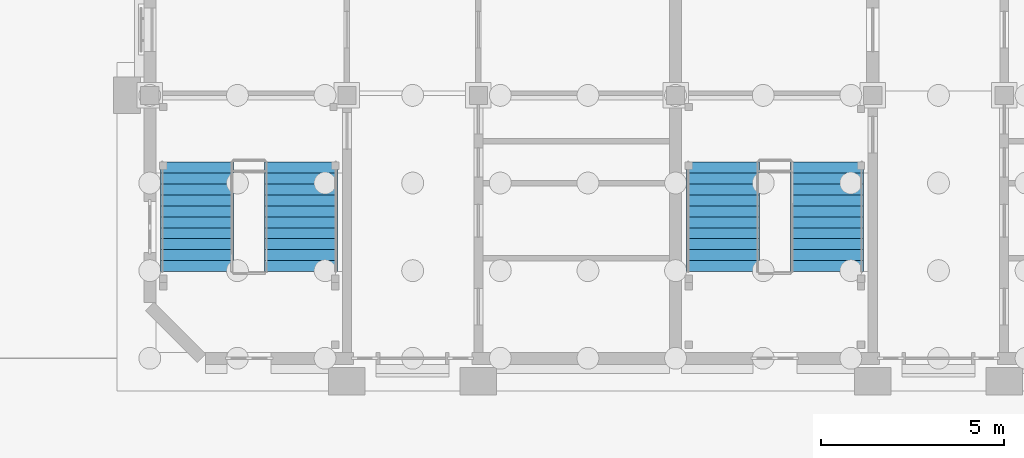
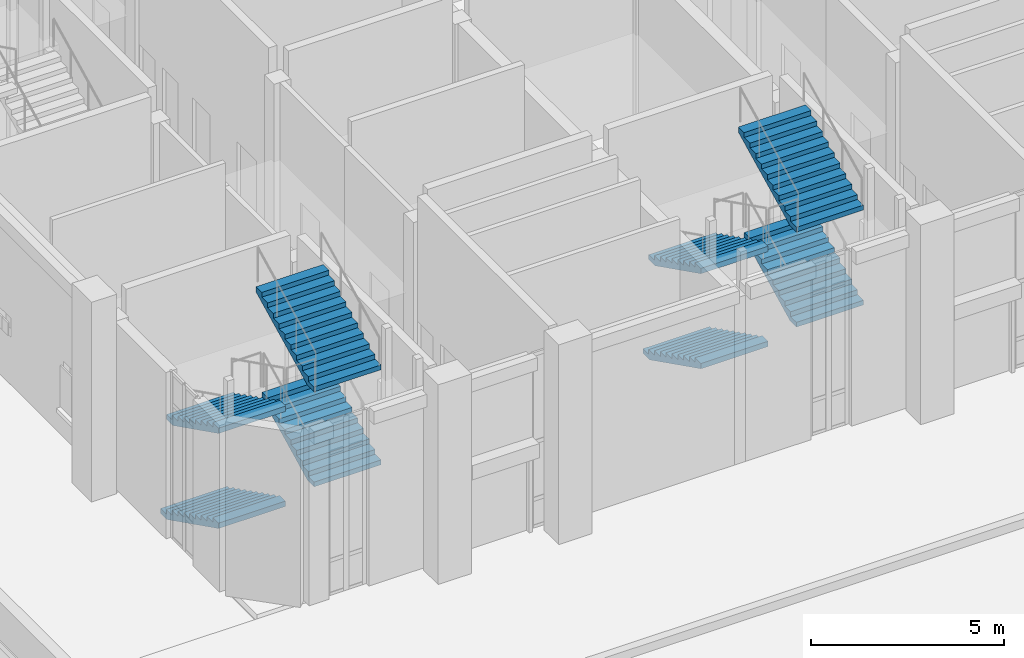
# One storey, part 59 of 84: 8 stair flights, 2 elements without a shape of their own.
"""IFC4 building model written with IfcOpenShell, lengths in metres."""

from ifc_helpers import new_model, si_unit, direction, frame, origin, place, context, subcontext, project, spatial, faceted_brep, material, type_object, element, aggregate, save


model = new_model("IFC4")

# Units and contexts
model_context = context("Model", 3, precision=1e-05, world=origin(), true_north=direction((0.0, 1.0)))
body_context = subcontext(model_context, "Body", "Model", "MODEL_VIEW")
ifc_project = project(units=[si_unit("LENGTHUNIT", "METRE"), si_unit("AREAUNIT", "SQUARE_METRE"), si_unit("VOLUMEUNIT", "CUBIC_METRE"), si_unit("PLANEANGLEUNIT", "RADIAN"), si_unit("MASSUNIT", "GRAM", prefix="KILO")], contexts=[model_context])

# Site, building, storey
site_placement = place(None, origin())
site = spatial("IfcSite", under=ifc_project, at=site_placement, CompositionType="ELEMENT")
building_placement = place(site_placement, origin())
building = spatial("IfcBuilding", under=site, at=building_placement, Name="Mazhai Court Health Centre", CompositionType="ELEMENT")
storey_placement = place(building_placement, origin())
storey = spatial("IfcBuildingStorey", under=building, at=storey_placement, Name="L00", CompositionType="ELEMENT", Elevation=0.0)

# Stair, stair flights
ifc_material_1 = material(Name="Concrete M40", Category="concrete")
stair_type = type_object("IfcStairType", Name="RC STAIR 2000 42R", PredefinedType="DOUBLE_RETURN_STAIR", material=ifc_material_1)
stair_1_placement = place(storey_placement, origin())
stair_1 = element("IfcStair", 1, at=stair_1_placement, inside=storey, type_object=stair_type, Name="L00 Stair 1", PredefinedType="DOUBLE_RETURN_STAIR")
ifc_material_2 = material(Name="Concrete M40", Category="concrete")
stair_flight_type_1 = type_object("IfcStairFlightType", Name="RC STAIR FLIGHT 10R 2000", PredefinedType="STRAIGHT", material=ifc_material_2)
stair_flight_1_placement = place(storey_placement, frame((10.344970703125, 8.574951171875, 1.64990234375), z_axis=(0.0, 0.0, 1.0), x_axis=(0.0, 1.0, 0.0)))
stair_flight_1 = element("IfcStairFlight", 2, at=stair_flight_1_placement, type_object=stair_flight_type_1, Name="ST1 flight 2", NumberOfRisers=10, NumberOfTreads=9, PredefinedType="STRAIGHT", RiserHeight=0.15, TreadLength=0.3, context=body_context, shape_type="Brep", body=[
    faceted_brep([(0.0, 1.0, 0.0), (0.0, 1.0, 0.14990234375), (0.300048828125, 1.0, 0.14990234375), (0.300048828125, 1.0, 0.300048828125), (0.60009765625, 1.0, 0.300048828125), (0.60009765625, 1.0, 0.449951171875), (0.89990234375, 1.0, 0.449951171875), (0.89990234375, 1.0, 0.60009765625), (1.199951171875, 1.0, 0.60009765625), (1.199951171875, 1.0, 0.75), (1.5, 1.0, 0.75), (1.5, 1.0, 0.89990234375), (1.800048828125, 1.0, 0.89990234375), (1.800048828125, 1.0, 1.050048828125), (2.10009765625, 1.0, 1.050048828125), (2.10009765625, 1.0, 1.199951171875), (2.39990234375, 1.0, 1.199951171875), (2.39990234375, 1.0, 1.35009765625), (2.699951171875, 1.0, 1.35009765625), (2.699951171875, 1.0, 1.182373046875), (0.335205078125, 1.0, 0.0), (0.335205078125, -1.0, 0.0), (2.699951171875, -1.0, 1.182373046875), (2.699951171875, -1.0, 1.35009765625), (2.39990234375, -1.0, 1.35009765625), (2.39990234375, -1.0, 1.199951171875), (2.10009765625, -1.0, 1.199951171875), (2.10009765625, -1.0, 1.050048828125), (1.800048828125, -1.0, 1.050048828125), (1.800048828125, -1.0, 0.89990234375), (1.5, -1.0, 0.89990234375), (1.5, -1.0, 0.75), (1.199951171875, -1.0, 0.75), (1.199951171875, -1.0, 0.60009765625), (0.89990234375, -1.0, 0.60009765625), (0.89990234375, -1.0, 0.449951171875), (0.60009765625, -1.0, 0.449951171875), (0.60009765625, -1.0, 0.300048828125), (0.300048828125, -1.0, 0.300048828125), (0.300048828125, -1.0, 0.14990234375), (0.0, -1.0, 0.14990234375), (0.0, -1.0, 0.0), (0.0, 0.0, 0.0), (0.0, 0.0, 0.14990234375), (0.300048828125, 0.0, 0.14990234375), (0.300048828125, 0.0, 0.300048828125), (0.60009765625, 0.0, 0.300048828125), (0.60009765625, 0.0, 0.449951171875), (0.89990234375, 0.0, 0.449951171875), (0.89990234375, 0.0, 0.60009765625), (1.199951171875, 0.0, 0.60009765625), (1.199951171875, 0.0, 0.75), (1.5, 0.0, 0.75), (1.5, 0.0, 0.89990234375), (1.800048828125, 0.0, 0.89990234375), (1.800048828125, 0.0, 1.050048828125), (2.10009765625, 0.0, 1.050048828125), (2.10009765625, 0.0, 1.199951171875), (2.39990234375, 0.0, 1.199951171875), (2.39990234375, 0.0, 1.35009765625), (2.699951171875, 0.0, 1.35009765625), (2.699951171875, 0.0, 1.182373046875), (0.335205078125, 0.0, 0.0)], [[[0, 1, 2, 3, 4, 5, 6, 7, 8, 9, 10, 11, 12, 13, 14, 15, 16, 17, 18, 19, 20]], [[21, 22, 23, 24, 25, 26, 27, 28, 29, 30, 31, 32, 33, 34, 35, 36, 37, 38, 39, 40, 41]], [[42, 43, 1, 0]], [[41, 40, 43, 42]], [[43, 44, 2, 1]], [[40, 39, 44, 43]], [[44, 45, 3, 2]], [[39, 38, 45, 44]], [[45, 46, 4, 3]], [[38, 37, 46, 45]], [[46, 47, 5, 4]], [[37, 36, 47, 46]], [[47, 48, 6, 5]], [[36, 35, 48, 47]], [[48, 49, 7, 6]], [[35, 34, 49, 48]], [[49, 50, 8, 7]], [[34, 33, 50, 49]], [[50, 51, 9, 8]], [[33, 32, 51, 50]], [[51, 52, 10, 9]], [[32, 31, 52, 51]], [[52, 53, 11, 10]], [[31, 30, 53, 52]], [[53, 54, 12, 11]], [[30, 29, 54, 53]], [[54, 55, 13, 12]], [[29, 28, 55, 54]], [[55, 56, 14, 13]], [[28, 27, 56, 55]], [[56, 57, 15, 14]], [[27, 26, 57, 56]], [[57, 58, 16, 15]], [[26, 25, 58, 57]], [[58, 59, 17, 16]], [[25, 24, 59, 58]], [[59, 60, 18, 17]], [[24, 23, 60, 59]], [[60, 61, 19, 18]], [[23, 22, 61, 60]], [[61, 62, 20, 19]], [[22, 21, 62, 61]], [[62, 42, 0, 20]], [[21, 41, 42, 62]]]),
])
stair_flight_2_placement = place(storey_placement, frame((7.4951171875, 11.27490234375, 3.14990234375), z_axis=(0.0, 0.0, 1.0), x_axis=(0.0, -1.0, 0.0)))
stair_flight_2 = element("IfcStairFlight", 3, at=stair_flight_2_placement, type_object=stair_flight_type_1, Name="ST1 flight 3", NumberOfRisers=10, NumberOfTreads=9, PredefinedType="STRAIGHT", RiserHeight=0.15, TreadLength=0.3, context=body_context, shape_type="Brep", body=[
    faceted_brep([(0.0, 1.0, 0.0), (0.0, 1.0, 0.14990234375), (0.300048828125, 1.0, 0.14990234375), (0.300048828125, 1.0, 0.300048828125), (0.60009765625, 1.0, 0.300048828125), (0.60009765625, 1.0, 0.449951171875), (0.89990234375, 1.0, 0.449951171875), (0.89990234375, 1.0, 0.60009765625), (1.199951171875, 1.0, 0.60009765625), (1.199951171875, 1.0, 0.75), (1.5, 1.0, 0.75), (1.5, 1.0, 0.89990234375), (1.800048828125, 1.0, 0.89990234375), (1.800048828125, 1.0, 1.050048828125), (2.10009765625, 1.0, 1.050048828125), (2.10009765625, 1.0, 1.199951171875), (2.39990234375, 1.0, 1.199951171875), (2.39990234375, 1.0, 1.35009765625), (2.699951171875, 1.0, 1.35009765625), (2.699951171875, 1.0, 1.182373046875), (0.335205078125, 1.0, 0.0), (0.335205078125, -1.0, 0.0), (2.699951171875, -1.0, 1.182373046875), (2.699951171875, -1.0, 1.35009765625), (2.39990234375, -1.0, 1.35009765625), (2.39990234375, -1.0, 1.199951171875), (2.10009765625, -1.0, 1.199951171875), (2.10009765625, -1.0, 1.050048828125), (1.800048828125, -1.0, 1.050048828125), (1.800048828125, -1.0, 0.89990234375), (1.5, -1.0, 0.89990234375), (1.5, -1.0, 0.75), (1.199951171875, -1.0, 0.75), (1.199951171875, -1.0, 0.60009765625), (0.89990234375, -1.0, 0.60009765625), (0.89990234375, -1.0, 0.449951171875), (0.60009765625, -1.0, 0.449951171875), (0.60009765625, -1.0, 0.300048828125), (0.300048828125, -1.0, 0.300048828125), (0.300048828125, -1.0, 0.14990234375), (0.0, -1.0, 0.14990234375), (0.0, -1.0, 0.0), (0.0, 0.0, 0.0), (0.0, 0.0, 0.14990234375), (0.300048828125, 0.0, 0.14990234375), (0.300048828125, 0.0, 0.300048828125), (0.60009765625, 0.0, 0.300048828125), (0.60009765625, 0.0, 0.449951171875), (0.89990234375, 0.0, 0.449951171875), (0.89990234375, 0.0, 0.60009765625), (1.199951171875, 0.0, 0.60009765625), (1.199951171875, 0.0, 0.75), (1.5, 0.0, 0.75), (1.5, 0.0, 0.89990234375), (1.800048828125, 0.0, 0.89990234375), (1.800048828125, 0.0, 1.050048828125), (2.10009765625, 0.0, 1.050048828125), (2.10009765625, 0.0, 1.199951171875), (2.39990234375, 0.0, 1.199951171875), (2.39990234375, 0.0, 1.35009765625), (2.699951171875, 0.0, 1.35009765625), (2.699951171875, 0.0, 1.182373046875), (0.335205078125, 0.0, 0.0)], [[[0, 1, 2, 3, 4, 5, 6, 7, 8, 9, 10, 11, 12, 13, 14, 15, 16, 17, 18, 19, 20]], [[21, 22, 23, 24, 25, 26, 27, 28, 29, 30, 31, 32, 33, 34, 35, 36, 37, 38, 39, 40, 41]], [[42, 43, 1, 0]], [[41, 40, 43, 42]], [[43, 44, 2, 1]], [[40, 39, 44, 43]], [[44, 45, 3, 2]], [[39, 38, 45, 44]], [[45, 46, 4, 3]], [[38, 37, 46, 45]], [[46, 47, 5, 4]], [[37, 36, 47, 46]], [[47, 48, 6, 5]], [[36, 35, 48, 47]], [[48, 49, 7, 6]], [[35, 34, 49, 48]], [[49, 50, 8, 7]], [[34, 33, 50, 49]], [[50, 51, 9, 8]], [[33, 32, 51, 50]], [[51, 52, 10, 9]], [[32, 31, 52, 51]], [[52, 53, 11, 10]], [[31, 30, 53, 52]], [[53, 54, 12, 11]], [[30, 29, 54, 53]], [[54, 55, 13, 12]], [[29, 28, 55, 54]], [[55, 56, 14, 13]], [[28, 27, 56, 55]], [[56, 57, 15, 14]], [[27, 26, 57, 56]], [[57, 58, 16, 15]], [[26, 25, 58, 57]], [[58, 59, 17, 16]], [[25, 24, 59, 58]], [[59, 60, 18, 17]], [[24, 23, 60, 59]], [[60, 61, 19, 18]], [[23, 22, 61, 60]], [[61, 62, 20, 19]], [[22, 21, 62, 61]], [[62, 42, 0, 20]], [[21, 41, 42, 62]]]),
])

stair_2_placement = place(storey_placement, origin())
stair_2 = element("IfcStair", 4, at=stair_2_placement, inside=storey, type_object=stair_type, Name="L00 Stair 4", PredefinedType="DOUBLE_RETURN_STAIR")
stair_flight_3_placement = place(storey_placement, frame((24.7451171875, 8.574951171875, 1.64990234375), z_axis=(0.0, 0.0, 1.0), x_axis=(0.0, 1.0, 0.0)))
stair_flight_3 = element("IfcStairFlight", 5, at=stair_flight_3_placement, type_object=stair_flight_type_1, Name="ST4 flight 2", NumberOfRisers=10, NumberOfTreads=9, PredefinedType="STRAIGHT", RiserHeight=0.15, TreadLength=0.3, context=body_context, shape_type="Brep", body=[
    faceted_brep([(0.0, 1.0, 0.0), (0.0, 1.0, 0.14990234375), (0.300048828125, 1.0, 0.14990234375), (0.300048828125, 1.0, 0.300048828125), (0.60009765625, 1.0, 0.300048828125), (0.60009765625, 1.0, 0.449951171875), (0.89990234375, 1.0, 0.449951171875), (0.89990234375, 1.0, 0.60009765625), (1.199951171875, 1.0, 0.60009765625), (1.199951171875, 1.0, 0.75), (1.5, 1.0, 0.75), (1.5, 1.0, 0.89990234375), (1.800048828125, 1.0, 0.89990234375), (1.800048828125, 1.0, 1.050048828125), (2.10009765625, 1.0, 1.050048828125), (2.10009765625, 1.0, 1.199951171875), (2.39990234375, 1.0, 1.199951171875), (2.39990234375, 1.0, 1.35009765625), (2.699951171875, 1.0, 1.35009765625), (2.699951171875, 1.0, 1.182373046875), (0.335205078125, 1.0, 0.0), (0.335205078125, -1.0, 0.0), (2.699951171875, -1.0, 1.182373046875), (2.699951171875, -1.0, 1.35009765625), (2.39990234375, -1.0, 1.35009765625), (2.39990234375, -1.0, 1.199951171875), (2.10009765625, -1.0, 1.199951171875), (2.10009765625, -1.0, 1.050048828125), (1.800048828125, -1.0, 1.050048828125), (1.800048828125, -1.0, 0.89990234375), (1.5, -1.0, 0.89990234375), (1.5, -1.0, 0.75), (1.199951171875, -1.0, 0.75), (1.199951171875, -1.0, 0.60009765625), (0.89990234375, -1.0, 0.60009765625), (0.89990234375, -1.0, 0.449951171875), (0.60009765625, -1.0, 0.449951171875), (0.60009765625, -1.0, 0.300048828125), (0.300048828125, -1.0, 0.300048828125), (0.300048828125, -1.0, 0.14990234375), (0.0, -1.0, 0.14990234375), (0.0, -1.0, 0.0), (0.0, 0.0, 0.0), (0.0, 0.0, 0.14990234375), (0.300048828125, 0.0, 0.14990234375), (0.300048828125, 0.0, 0.300048828125), (0.60009765625, 0.0, 0.300048828125), (0.60009765625, 0.0, 0.449951171875), (0.89990234375, 0.0, 0.449951171875), (0.89990234375, 0.0, 0.60009765625), (1.199951171875, 0.0, 0.60009765625), (1.199951171875, 0.0, 0.75), (1.5, 0.0, 0.75), (1.5, 0.0, 0.89990234375), (1.800048828125, 0.0, 0.89990234375), (1.800048828125, 0.0, 1.050048828125), (2.10009765625, 0.0, 1.050048828125), (2.10009765625, 0.0, 1.199951171875), (2.39990234375, 0.0, 1.199951171875), (2.39990234375, 0.0, 1.35009765625), (2.699951171875, 0.0, 1.35009765625), (2.699951171875, 0.0, 1.182373046875), (0.335205078125, 0.0, 0.0)], [[[0, 1, 2, 3, 4, 5, 6, 7, 8, 9, 10, 11, 12, 13, 14, 15, 16, 17, 18, 19, 20]], [[21, 22, 23, 24, 25, 26, 27, 28, 29, 30, 31, 32, 33, 34, 35, 36, 37, 38, 39, 40, 41]], [[42, 43, 1, 0]], [[41, 40, 43, 42]], [[43, 44, 2, 1]], [[40, 39, 44, 43]], [[44, 45, 3, 2]], [[39, 38, 45, 44]], [[45, 46, 4, 3]], [[38, 37, 46, 45]], [[46, 47, 5, 4]], [[37, 36, 47, 46]], [[47, 48, 6, 5]], [[36, 35, 48, 47]], [[48, 49, 7, 6]], [[35, 34, 49, 48]], [[49, 50, 8, 7]], [[34, 33, 50, 49]], [[50, 51, 9, 8]], [[33, 32, 51, 50]], [[51, 52, 10, 9]], [[32, 31, 52, 51]], [[52, 53, 11, 10]], [[31, 30, 53, 52]], [[53, 54, 12, 11]], [[30, 29, 54, 53]], [[54, 55, 13, 12]], [[29, 28, 55, 54]], [[55, 56, 14, 13]], [[28, 27, 56, 55]], [[56, 57, 15, 14]], [[27, 26, 57, 56]], [[57, 58, 16, 15]], [[26, 25, 58, 57]], [[58, 59, 17, 16]], [[25, 24, 59, 58]], [[59, 60, 18, 17]], [[24, 23, 60, 59]], [[60, 61, 19, 18]], [[23, 22, 61, 60]], [[61, 62, 20, 19]], [[22, 21, 62, 61]], [[62, 42, 0, 20]], [[21, 41, 42, 62]]]),
])
stair_flight_4_placement = place(storey_placement, frame((21.89501953125, 11.27490234375, 3.14990234375), z_axis=(0.0, 0.0, 1.0), x_axis=(0.0, -1.0, 0.0)))
stair_flight_4 = element("IfcStairFlight", 6, at=stair_flight_4_placement, type_object=stair_flight_type_1, Name="ST4 flight 3", NumberOfRisers=10, NumberOfTreads=9, PredefinedType="STRAIGHT", RiserHeight=0.15, TreadLength=0.3, context=body_context, shape_type="Brep", body=[
    faceted_brep([(0.0, 1.0, 0.0), (0.0, 1.0, 0.14990234375), (0.300048828125, 1.0, 0.14990234375), (0.300048828125, 1.0, 0.300048828125), (0.60009765625, 1.0, 0.300048828125), (0.60009765625, 1.0, 0.449951171875), (0.89990234375, 1.0, 0.449951171875), (0.89990234375, 1.0, 0.60009765625), (1.199951171875, 1.0, 0.60009765625), (1.199951171875, 1.0, 0.75), (1.5, 1.0, 0.75), (1.5, 1.0, 0.89990234375), (1.800048828125, 1.0, 0.89990234375), (1.800048828125, 1.0, 1.050048828125), (2.10009765625, 1.0, 1.050048828125), (2.10009765625, 1.0, 1.199951171875), (2.39990234375, 1.0, 1.199951171875), (2.39990234375, 1.0, 1.35009765625), (2.699951171875, 1.0, 1.35009765625), (2.699951171875, 1.0, 1.182373046875), (0.335205078125, 1.0, 0.0), (0.335205078125, -1.0, 0.0), (2.699951171875, -1.0, 1.182373046875), (2.699951171875, -1.0, 1.35009765625), (2.39990234375, -1.0, 1.35009765625), (2.39990234375, -1.0, 1.199951171875), (2.10009765625, -1.0, 1.199951171875), (2.10009765625, -1.0, 1.050048828125), (1.800048828125, -1.0, 1.050048828125), (1.800048828125, -1.0, 0.89990234375), (1.5, -1.0, 0.89990234375), (1.5, -1.0, 0.75), (1.199951171875, -1.0, 0.75), (1.199951171875, -1.0, 0.60009765625), (0.89990234375, -1.0, 0.60009765625), (0.89990234375, -1.0, 0.449951171875), (0.60009765625, -1.0, 0.449951171875), (0.60009765625, -1.0, 0.300048828125), (0.300048828125, -1.0, 0.300048828125), (0.300048828125, -1.0, 0.14990234375), (0.0, -1.0, 0.14990234375), (0.0, -1.0, 0.0), (0.0, 0.0, 0.0), (0.0, 0.0, 0.14990234375), (0.300048828125, 0.0, 0.14990234375), (0.300048828125, 0.0, 0.300048828125), (0.60009765625, 0.0, 0.300048828125), (0.60009765625, 0.0, 0.449951171875), (0.89990234375, 0.0, 0.449951171875), (0.89990234375, 0.0, 0.60009765625), (1.199951171875, 0.0, 0.60009765625), (1.199951171875, 0.0, 0.75), (1.5, 0.0, 0.75), (1.5, 0.0, 0.89990234375), (1.800048828125, 0.0, 0.89990234375), (1.800048828125, 0.0, 1.050048828125), (2.10009765625, 0.0, 1.050048828125), (2.10009765625, 0.0, 1.199951171875), (2.39990234375, 0.0, 1.199951171875), (2.39990234375, 0.0, 1.35009765625), (2.699951171875, 0.0, 1.35009765625), (2.699951171875, 0.0, 1.182373046875), (0.335205078125, 0.0, 0.0)], [[[0, 1, 2, 3, 4, 5, 6, 7, 8, 9, 10, 11, 12, 13, 14, 15, 16, 17, 18, 19, 20]], [[21, 22, 23, 24, 25, 26, 27, 28, 29, 30, 31, 32, 33, 34, 35, 36, 37, 38, 39, 40, 41]], [[42, 43, 1, 0]], [[41, 40, 43, 42]], [[43, 44, 2, 1]], [[40, 39, 44, 43]], [[44, 45, 3, 2]], [[39, 38, 45, 44]], [[45, 46, 4, 3]], [[38, 37, 46, 45]], [[46, 47, 5, 4]], [[37, 36, 47, 46]], [[47, 48, 6, 5]], [[36, 35, 48, 47]], [[48, 49, 7, 6]], [[35, 34, 49, 48]], [[49, 50, 8, 7]], [[34, 33, 50, 49]], [[50, 51, 9, 8]], [[33, 32, 51, 50]], [[51, 52, 10, 9]], [[32, 31, 52, 51]], [[52, 53, 11, 10]], [[31, 30, 53, 52]], [[53, 54, 12, 11]], [[30, 29, 54, 53]], [[54, 55, 13, 12]], [[29, 28, 55, 54]], [[55, 56, 14, 13]], [[28, 27, 56, 55]], [[56, 57, 15, 14]], [[27, 26, 57, 56]], [[57, 58, 16, 15]], [[26, 25, 58, 57]], [[58, 59, 17, 16]], [[25, 24, 59, 58]], [[59, 60, 18, 17]], [[24, 23, 60, 59]], [[60, 61, 19, 18]], [[23, 22, 61, 60]], [[61, 62, 20, 19]], [[22, 21, 62, 61]], [[62, 42, 0, 20]], [[21, 41, 42, 62]]]),
])

# Stair flight
ifc_material_3 = material(Name="Concrete M40", Category="concrete")
stair_flight_type_2 = type_object("IfcStairFlightType", Name="RC STAIR FLIGHT 11R 2000", PredefinedType="STRAIGHT", material=ifc_material_3)
stair_flight_5_placement = place(storey_placement, frame((7.4951171875, 11.574951171875, 0.0), z_axis=(0.0, 0.0, 1.0), x_axis=(0.0, -1.0, 0.0)))
stair_flight_5 = element("IfcStairFlight", 7, at=stair_flight_5_placement, type_object=stair_flight_type_2, Name="ST1 flight 1", NumberOfRisers=11, NumberOfTreads=10, PredefinedType="STRAIGHT", RiserHeight=0.15, TreadLength=0.3, context=body_context, shape_type="Brep", body=[
    faceted_brep([(0.0, 1.0, 0.0), (0.0, 1.0, 0.14990234375), (0.300048828125, 1.0, 0.14990234375), (0.300048828125, 1.0, 0.300048828125), (0.60009765625, 1.0, 0.300048828125), (0.60009765625, 1.0, 0.449951171875), (0.89990234375, 1.0, 0.449951171875), (0.89990234375, 1.0, 0.60009765625), (1.199951171875, 1.0, 0.60009765625), (1.199951171875, 1.0, 0.75), (1.5, 1.0, 0.75), (1.5, 1.0, 0.89990234375), (1.800048828125, 1.0, 0.89990234375), (1.800048828125, 1.0, 1.050048828125), (2.10009765625, 1.0, 1.050048828125), (2.10009765625, 1.0, 1.199951171875), (2.39990234375, 1.0, 1.199951171875), (2.39990234375, 1.0, 1.35009765625), (2.699951171875, 1.0, 1.35009765625), (2.699951171875, 1.0, 1.5), (3.0, 1.0, 1.5), (3.0, 1.0, 1.33251953125), (0.335205078125, 1.0, 0.0), (0.335205078125, -1.0, 0.0), (3.0, -1.0, 1.33251953125), (3.0, -1.0, 1.5), (2.699951171875, -1.0, 1.5), (2.699951171875, -1.0, 1.35009765625), (2.39990234375, -1.0, 1.35009765625), (2.39990234375, -1.0, 1.199951171875), (2.10009765625, -1.0, 1.199951171875), (2.10009765625, -1.0, 1.050048828125), (1.800048828125, -1.0, 1.050048828125), (1.800048828125, -1.0, 0.89990234375), (1.5, -1.0, 0.89990234375), (1.5, -1.0, 0.75), (1.199951171875, -1.0, 0.75), (1.199951171875, -1.0, 0.60009765625), (0.89990234375, -1.0, 0.60009765625), (0.89990234375, -1.0, 0.449951171875), (0.60009765625, -1.0, 0.449951171875), (0.60009765625, -1.0, 0.300048828125), (0.300048828125, -1.0, 0.300048828125), (0.300048828125, -1.0, 0.14990234375), (0.0, -1.0, 0.14990234375), (0.0, -1.0, 0.0), (0.0, 0.0, 0.0), (0.0, 0.0, 0.14990234375), (0.300048828125, 0.0, 0.14990234375), (0.300048828125, 0.0, 0.300048828125), (0.60009765625, 0.0, 0.300048828125), (0.60009765625, 0.0, 0.449951171875), (0.89990234375, 0.0, 0.449951171875), (0.89990234375, 0.0, 0.60009765625), (1.199951171875, 0.0, 0.60009765625), (1.199951171875, 0.0, 0.75), (1.5, 0.0, 0.75), (1.5, 0.0, 0.89990234375), (1.800048828125, 0.0, 0.89990234375), (1.800048828125, 0.0, 1.050048828125), (2.10009765625, 0.0, 1.050048828125), (2.10009765625, 0.0, 1.199951171875), (2.39990234375, 0.0, 1.199951171875), (2.39990234375, 0.0, 1.35009765625), (2.699951171875, 0.0, 1.35009765625), (2.699951171875, 0.0, 1.5), (3.0, 0.0, 1.5), (3.0, 0.0, 1.33251953125), (0.335205078125, 0.0, 0.0)], [[[0, 1, 2, 3, 4, 5, 6, 7, 8, 9, 10, 11, 12, 13, 14, 15, 16, 17, 18, 19, 20, 21, 22]], [[23, 24, 25, 26, 27, 28, 29, 30, 31, 32, 33, 34, 35, 36, 37, 38, 39, 40, 41, 42, 43, 44, 45]], [[46, 47, 1, 0]], [[45, 44, 47, 46]], [[47, 48, 2, 1]], [[44, 43, 48, 47]], [[48, 49, 3, 2]], [[43, 42, 49, 48]], [[49, 50, 4, 3]], [[42, 41, 50, 49]], [[50, 51, 5, 4]], [[41, 40, 51, 50]], [[51, 52, 6, 5]], [[40, 39, 52, 51]], [[52, 53, 7, 6]], [[39, 38, 53, 52]], [[53, 54, 8, 7]], [[38, 37, 54, 53]], [[54, 55, 9, 8]], [[37, 36, 55, 54]], [[55, 56, 10, 9]], [[36, 35, 56, 55]], [[56, 57, 11, 10]], [[35, 34, 57, 56]], [[57, 58, 12, 11]], [[34, 33, 58, 57]], [[58, 59, 13, 12]], [[33, 32, 59, 58]], [[59, 60, 14, 13]], [[32, 31, 60, 59]], [[60, 61, 15, 14]], [[31, 30, 61, 60]], [[61, 62, 16, 15]], [[30, 29, 62, 61]], [[62, 63, 17, 16]], [[29, 28, 63, 62]], [[63, 64, 18, 17]], [[28, 27, 64, 63]], [[64, 65, 19, 18]], [[27, 26, 65, 64]], [[65, 66, 20, 19]], [[26, 25, 66, 65]], [[66, 67, 21, 20]], [[25, 24, 67, 66]], [[67, 68, 22, 21]], [[24, 23, 68, 67]], [[68, 46, 0, 22]], [[23, 45, 46, 68]]]),
])

stair_flight_6_placement = place(storey_placement, frame((10.344970703125, 8.574951171875, 4.64990234375), z_axis=(0.0, 0.0, 1.0), x_axis=(0.0, 1.0, 0.0)))
stair_flight_6 = element("IfcStairFlight", 8, at=stair_flight_6_placement, type_object=stair_flight_type_2, Name="ST1 flight 4", NumberOfRisers=11, NumberOfTreads=10, PredefinedType="STRAIGHT", RiserHeight=0.15, TreadLength=0.3, context=body_context, shape_type="Brep", body=[
    faceted_brep([(0.0, 1.0, 0.0), (0.0, 1.0, 0.14990234375), (0.300048828125, 1.0, 0.14990234375), (0.300048828125, 1.0, 0.300048828125), (0.60009765625, 1.0, 0.300048828125), (0.60009765625, 1.0, 0.449951171875), (0.89990234375, 1.0, 0.449951171875), (0.89990234375, 1.0, 0.60009765625), (1.199951171875, 1.0, 0.60009765625), (1.199951171875, 1.0, 0.75), (1.5, 1.0, 0.75), (1.5, 1.0, 0.89990234375), (1.800048828125, 1.0, 0.89990234375), (1.800048828125, 1.0, 1.050048828125), (2.10009765625, 1.0, 1.050048828125), (2.10009765625, 1.0, 1.199951171875), (2.39990234375, 1.0, 1.199951171875), (2.39990234375, 1.0, 1.35009765625), (2.699951171875, 1.0, 1.35009765625), (2.699951171875, 1.0, 1.5), (3.0, 1.0, 1.5), (3.0, 1.0, 1.33251953125), (0.335205078125, 1.0, 0.0), (0.335205078125, -1.0, 0.0), (3.0, -1.0, 1.33251953125), (3.0, -1.0, 1.5), (2.699951171875, -1.0, 1.5), (2.699951171875, -1.0, 1.35009765625), (2.39990234375, -1.0, 1.35009765625), (2.39990234375, -1.0, 1.199951171875), (2.10009765625, -1.0, 1.199951171875), (2.10009765625, -1.0, 1.050048828125), (1.800048828125, -1.0, 1.050048828125), (1.800048828125, -1.0, 0.89990234375), (1.5, -1.0, 0.89990234375), (1.5, -1.0, 0.75), (1.199951171875, -1.0, 0.75), (1.199951171875, -1.0, 0.60009765625), (0.89990234375, -1.0, 0.60009765625), (0.89990234375, -1.0, 0.449951171875), (0.60009765625, -1.0, 0.449951171875), (0.60009765625, -1.0, 0.300048828125), (0.300048828125, -1.0, 0.300048828125), (0.300048828125, -1.0, 0.14990234375), (0.0, -1.0, 0.14990234375), (0.0, -1.0, 0.0), (0.0, 0.0, 0.0), (0.0, 0.0, 0.14990234375), (0.300048828125, 0.0, 0.14990234375), (0.300048828125, 0.0, 0.300048828125), (0.60009765625, 0.0, 0.300048828125), (0.60009765625, 0.0, 0.449951171875), (0.89990234375, 0.0, 0.449951171875), (0.89990234375, 0.0, 0.60009765625), (1.199951171875, 0.0, 0.60009765625), (1.199951171875, 0.0, 0.75), (1.5, 0.0, 0.75), (1.5, 0.0, 0.89990234375), (1.800048828125, 0.0, 0.89990234375), (1.800048828125, 0.0, 1.050048828125), (2.10009765625, 0.0, 1.050048828125), (2.10009765625, 0.0, 1.199951171875), (2.39990234375, 0.0, 1.199951171875), (2.39990234375, 0.0, 1.35009765625), (2.699951171875, 0.0, 1.35009765625), (2.699951171875, 0.0, 1.5), (3.0, 0.0, 1.5), (3.0, 0.0, 1.33251953125), (0.335205078125, 0.0, 0.0)], [[[0, 1, 2, 3, 4, 5, 6, 7, 8, 9, 10, 11, 12, 13, 14, 15, 16, 17, 18, 19, 20, 21, 22]], [[23, 24, 25, 26, 27, 28, 29, 30, 31, 32, 33, 34, 35, 36, 37, 38, 39, 40, 41, 42, 43, 44, 45]], [[46, 47, 1, 0]], [[45, 44, 47, 46]], [[47, 48, 2, 1]], [[44, 43, 48, 47]], [[48, 49, 3, 2]], [[43, 42, 49, 48]], [[49, 50, 4, 3]], [[42, 41, 50, 49]], [[50, 51, 5, 4]], [[41, 40, 51, 50]], [[51, 52, 6, 5]], [[40, 39, 52, 51]], [[52, 53, 7, 6]], [[39, 38, 53, 52]], [[53, 54, 8, 7]], [[38, 37, 54, 53]], [[54, 55, 9, 8]], [[37, 36, 55, 54]], [[55, 56, 10, 9]], [[36, 35, 56, 55]], [[56, 57, 11, 10]], [[35, 34, 57, 56]], [[57, 58, 12, 11]], [[34, 33, 58, 57]], [[58, 59, 13, 12]], [[33, 32, 59, 58]], [[59, 60, 14, 13]], [[32, 31, 60, 59]], [[60, 61, 15, 14]], [[31, 30, 61, 60]], [[61, 62, 16, 15]], [[30, 29, 62, 61]], [[62, 63, 17, 16]], [[29, 28, 63, 62]], [[63, 64, 18, 17]], [[28, 27, 64, 63]], [[64, 65, 19, 18]], [[27, 26, 65, 64]], [[65, 66, 20, 19]], [[26, 25, 66, 65]], [[66, 67, 21, 20]], [[25, 24, 67, 66]], [[67, 68, 22, 21]], [[24, 23, 68, 67]], [[68, 46, 0, 22]], [[23, 45, 46, 68]]]),
])

aggregate(stair_1, [stair_flight_5, stair_flight_1, stair_flight_2, stair_flight_6])

stair_flight_7_placement = place(storey_placement, frame((21.89501953125, 11.574951171875, 0.0), z_axis=(0.0, 0.0, 1.0), x_axis=(0.0, -1.0, 0.0)))
stair_flight_7 = element("IfcStairFlight", 9, at=stair_flight_7_placement, type_object=stair_flight_type_2, Name="ST4 flight 1", NumberOfRisers=11, NumberOfTreads=10, PredefinedType="STRAIGHT", RiserHeight=0.15, TreadLength=0.3, context=body_context, shape_type="Brep", body=[
    faceted_brep([(0.0, 1.0, 0.0), (0.0, 1.0, 0.14990234375), (0.300048828125, 1.0, 0.14990234375), (0.300048828125, 1.0, 0.300048828125), (0.60009765625, 1.0, 0.300048828125), (0.60009765625, 1.0, 0.449951171875), (0.89990234375, 1.0, 0.449951171875), (0.89990234375, 1.0, 0.60009765625), (1.199951171875, 1.0, 0.60009765625), (1.199951171875, 1.0, 0.75), (1.5, 1.0, 0.75), (1.5, 1.0, 0.89990234375), (1.800048828125, 1.0, 0.89990234375), (1.800048828125, 1.0, 1.050048828125), (2.10009765625, 1.0, 1.050048828125), (2.10009765625, 1.0, 1.199951171875), (2.39990234375, 1.0, 1.199951171875), (2.39990234375, 1.0, 1.35009765625), (2.699951171875, 1.0, 1.35009765625), (2.699951171875, 1.0, 1.5), (3.0, 1.0, 1.5), (3.0, 1.0, 1.33251953125), (0.335205078125, 1.0, 0.0), (0.335205078125, -1.0, 0.0), (3.0, -1.0, 1.33251953125), (3.0, -1.0, 1.5), (2.699951171875, -1.0, 1.5), (2.699951171875, -1.0, 1.35009765625), (2.39990234375, -1.0, 1.35009765625), (2.39990234375, -1.0, 1.199951171875), (2.10009765625, -1.0, 1.199951171875), (2.10009765625, -1.0, 1.050048828125), (1.800048828125, -1.0, 1.050048828125), (1.800048828125, -1.0, 0.89990234375), (1.5, -1.0, 0.89990234375), (1.5, -1.0, 0.75), (1.199951171875, -1.0, 0.75), (1.199951171875, -1.0, 0.60009765625), (0.89990234375, -1.0, 0.60009765625), (0.89990234375, -1.0, 0.449951171875), (0.60009765625, -1.0, 0.449951171875), (0.60009765625, -1.0, 0.300048828125), (0.300048828125, -1.0, 0.300048828125), (0.300048828125, -1.0, 0.14990234375), (0.0, -1.0, 0.14990234375), (0.0, -1.0, 0.0), (0.0, 0.0, 0.0), (0.0, 0.0, 0.14990234375), (0.300048828125, 0.0, 0.14990234375), (0.300048828125, 0.0, 0.300048828125), (0.60009765625, 0.0, 0.300048828125), (0.60009765625, 0.0, 0.449951171875), (0.89990234375, 0.0, 0.449951171875), (0.89990234375, 0.0, 0.60009765625), (1.199951171875, 0.0, 0.60009765625), (1.199951171875, 0.0, 0.75), (1.5, 0.0, 0.75), (1.5, 0.0, 0.89990234375), (1.800048828125, 0.0, 0.89990234375), (1.800048828125, 0.0, 1.050048828125), (2.10009765625, 0.0, 1.050048828125), (2.10009765625, 0.0, 1.199951171875), (2.39990234375, 0.0, 1.199951171875), (2.39990234375, 0.0, 1.35009765625), (2.699951171875, 0.0, 1.35009765625), (2.699951171875, 0.0, 1.5), (3.0, 0.0, 1.5), (3.0, 0.0, 1.33251953125), (0.335205078125, 0.0, 0.0)], [[[0, 1, 2, 3, 4, 5, 6, 7, 8, 9, 10, 11, 12, 13, 14, 15, 16, 17, 18, 19, 20, 21, 22]], [[23, 24, 25, 26, 27, 28, 29, 30, 31, 32, 33, 34, 35, 36, 37, 38, 39, 40, 41, 42, 43, 44, 45]], [[46, 47, 1, 0]], [[45, 44, 47, 46]], [[47, 48, 2, 1]], [[44, 43, 48, 47]], [[48, 49, 3, 2]], [[43, 42, 49, 48]], [[49, 50, 4, 3]], [[42, 41, 50, 49]], [[50, 51, 5, 4]], [[41, 40, 51, 50]], [[51, 52, 6, 5]], [[40, 39, 52, 51]], [[52, 53, 7, 6]], [[39, 38, 53, 52]], [[53, 54, 8, 7]], [[38, 37, 54, 53]], [[54, 55, 9, 8]], [[37, 36, 55, 54]], [[55, 56, 10, 9]], [[36, 35, 56, 55]], [[56, 57, 11, 10]], [[35, 34, 57, 56]], [[57, 58, 12, 11]], [[34, 33, 58, 57]], [[58, 59, 13, 12]], [[33, 32, 59, 58]], [[59, 60, 14, 13]], [[32, 31, 60, 59]], [[60, 61, 15, 14]], [[31, 30, 61, 60]], [[61, 62, 16, 15]], [[30, 29, 62, 61]], [[62, 63, 17, 16]], [[29, 28, 63, 62]], [[63, 64, 18, 17]], [[28, 27, 64, 63]], [[64, 65, 19, 18]], [[27, 26, 65, 64]], [[65, 66, 20, 19]], [[26, 25, 66, 65]], [[66, 67, 21, 20]], [[25, 24, 67, 66]], [[67, 68, 22, 21]], [[24, 23, 68, 67]], [[68, 46, 0, 22]], [[23, 45, 46, 68]]]),
])

stair_flight_8_placement = place(storey_placement, frame((24.7451171875, 8.574951171875, 4.64990234375), z_axis=(0.0, 0.0, 1.0), x_axis=(0.0, 1.0, 0.0)))
stair_flight_8 = element("IfcStairFlight", 10, at=stair_flight_8_placement, type_object=stair_flight_type_2, Name="ST4 flight 4", NumberOfRisers=11, NumberOfTreads=10, PredefinedType="STRAIGHT", RiserHeight=0.15, TreadLength=0.3, context=body_context, shape_type="Brep", body=[
    faceted_brep([(0.0, 1.0, 0.0), (0.0, 1.0, 0.14990234375), (0.300048828125, 1.0, 0.14990234375), (0.300048828125, 1.0, 0.300048828125), (0.60009765625, 1.0, 0.300048828125), (0.60009765625, 1.0, 0.449951171875), (0.89990234375, 1.0, 0.449951171875), (0.89990234375, 1.0, 0.60009765625), (1.199951171875, 1.0, 0.60009765625), (1.199951171875, 1.0, 0.75), (1.5, 1.0, 0.75), (1.5, 1.0, 0.89990234375), (1.800048828125, 1.0, 0.89990234375), (1.800048828125, 1.0, 1.050048828125), (2.10009765625, 1.0, 1.050048828125), (2.10009765625, 1.0, 1.199951171875), (2.39990234375, 1.0, 1.199951171875), (2.39990234375, 1.0, 1.35009765625), (2.699951171875, 1.0, 1.35009765625), (2.699951171875, 1.0, 1.5), (3.0, 1.0, 1.5), (3.0, 1.0, 1.33251953125), (0.335205078125, 1.0, 0.0), (0.335205078125, -1.0, 0.0), (3.0, -1.0, 1.33251953125), (3.0, -1.0, 1.5), (2.699951171875, -1.0, 1.5), (2.699951171875, -1.0, 1.35009765625), (2.39990234375, -1.0, 1.35009765625), (2.39990234375, -1.0, 1.199951171875), (2.10009765625, -1.0, 1.199951171875), (2.10009765625, -1.0, 1.050048828125), (1.800048828125, -1.0, 1.050048828125), (1.800048828125, -1.0, 0.89990234375), (1.5, -1.0, 0.89990234375), (1.5, -1.0, 0.75), (1.199951171875, -1.0, 0.75), (1.199951171875, -1.0, 0.60009765625), (0.89990234375, -1.0, 0.60009765625), (0.89990234375, -1.0, 0.449951171875), (0.60009765625, -1.0, 0.449951171875), (0.60009765625, -1.0, 0.300048828125), (0.300048828125, -1.0, 0.300048828125), (0.300048828125, -1.0, 0.14990234375), (0.0, -1.0, 0.14990234375), (0.0, -1.0, 0.0), (0.0, 0.0, 0.0), (0.0, 0.0, 0.14990234375), (0.300048828125, 0.0, 0.14990234375), (0.300048828125, 0.0, 0.300048828125), (0.60009765625, 0.0, 0.300048828125), (0.60009765625, 0.0, 0.449951171875), (0.89990234375, 0.0, 0.449951171875), (0.89990234375, 0.0, 0.60009765625), (1.199951171875, 0.0, 0.60009765625), (1.199951171875, 0.0, 0.75), (1.5, 0.0, 0.75), (1.5, 0.0, 0.89990234375), (1.800048828125, 0.0, 0.89990234375), (1.800048828125, 0.0, 1.050048828125), (2.10009765625, 0.0, 1.050048828125), (2.10009765625, 0.0, 1.199951171875), (2.39990234375, 0.0, 1.199951171875), (2.39990234375, 0.0, 1.35009765625), (2.699951171875, 0.0, 1.35009765625), (2.699951171875, 0.0, 1.5), (3.0, 0.0, 1.5), (3.0, 0.0, 1.33251953125), (0.335205078125, 0.0, 0.0)], [[[0, 1, 2, 3, 4, 5, 6, 7, 8, 9, 10, 11, 12, 13, 14, 15, 16, 17, 18, 19, 20, 21, 22]], [[23, 24, 25, 26, 27, 28, 29, 30, 31, 32, 33, 34, 35, 36, 37, 38, 39, 40, 41, 42, 43, 44, 45]], [[46, 47, 1, 0]], [[45, 44, 47, 46]], [[47, 48, 2, 1]], [[44, 43, 48, 47]], [[48, 49, 3, 2]], [[43, 42, 49, 48]], [[49, 50, 4, 3]], [[42, 41, 50, 49]], [[50, 51, 5, 4]], [[41, 40, 51, 50]], [[51, 52, 6, 5]], [[40, 39, 52, 51]], [[52, 53, 7, 6]], [[39, 38, 53, 52]], [[53, 54, 8, 7]], [[38, 37, 54, 53]], [[54, 55, 9, 8]], [[37, 36, 55, 54]], [[55, 56, 10, 9]], [[36, 35, 56, 55]], [[56, 57, 11, 10]], [[35, 34, 57, 56]], [[57, 58, 12, 11]], [[34, 33, 58, 57]], [[58, 59, 13, 12]], [[33, 32, 59, 58]], [[59, 60, 14, 13]], [[32, 31, 60, 59]], [[60, 61, 15, 14]], [[31, 30, 61, 60]], [[61, 62, 16, 15]], [[30, 29, 62, 61]], [[62, 63, 17, 16]], [[29, 28, 63, 62]], [[63, 64, 18, 17]], [[28, 27, 64, 63]], [[64, 65, 19, 18]], [[27, 26, 65, 64]], [[65, 66, 20, 19]], [[26, 25, 66, 65]], [[66, 67, 21, 20]], [[25, 24, 67, 66]], [[67, 68, 22, 21]], [[24, 23, 68, 67]], [[68, 46, 0, 22]], [[23, 45, 46, 68]]]),
])

aggregate(stair_2, [stair_flight_7, stair_flight_3, stair_flight_4, stair_flight_8])

save(model, "model.ifc")
